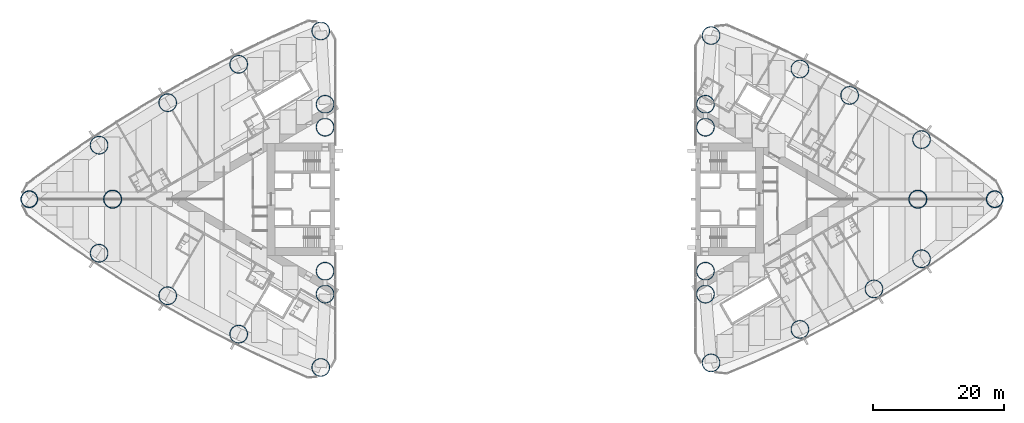
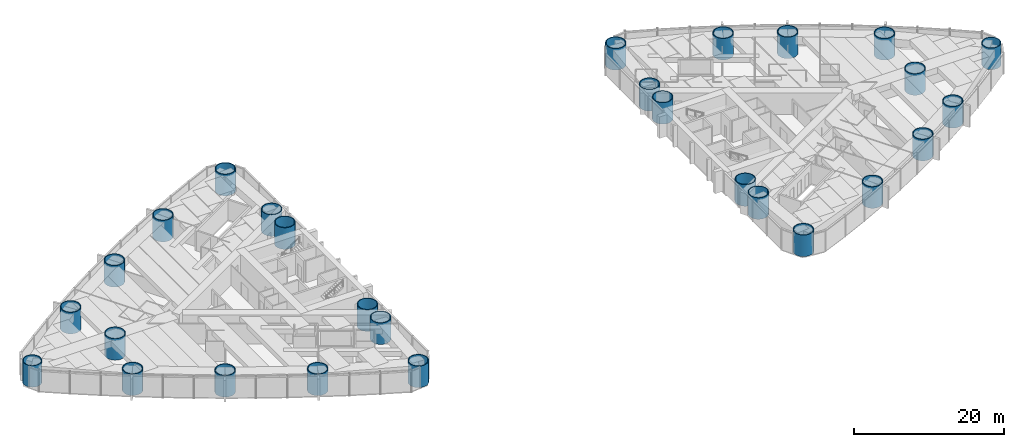
# One storey, part 1 of 19: 28 columns.
"""IFC4 building model written with IfcOpenShell, lengths in metres."""

from ifc_helpers import new_model, si_unit, direction, frame, origin, origin_2d, place, context, subcontext, project, spatial, hollow_circle, extrude, material, material_profile, profile_set, type_object, element, save


model = new_model("IFC4")

# Units and contexts
model_context = context("Model", 3, precision=1e-05, world=origin(), true_north=direction((0.0, 1.0)))
body_context = subcontext(model_context, "Body", "Model", "MODEL_VIEW")
ifc_project = project(units=[si_unit("LENGTHUNIT", "METRE"), si_unit("AREAUNIT", "SQUARE_METRE"), si_unit("VOLUMEUNIT", "CUBIC_METRE"), si_unit("PLANEANGLEUNIT", "RADIAN"), si_unit("MASSUNIT", "GRAM", prefix="KILO")], contexts=[model_context])

# Site, building, storey
site_placement = place(None, origin())
site = spatial("IfcSite", under=ifc_project, at=site_placement, CompositionType="ELEMENT")
building_placement = place(site_placement, origin())
building = spatial("IfcBuilding", under=site, at=building_placement, Name="Lancet Gate Hotel", CompositionType="ELEMENT")
storey_placement = place(building_placement, frame((0.0, 0.0, 28.5)))
storey = spatial("IfcBuildingStorey", under=building, at=storey_placement, Name="L06", CompositionType="ELEMENT", Elevation=28.5)

# Columns
ifc_material_1 = material(Name="Composite filled tube, grade 460 plate, grade 80/95 fill", Category="composite")
ifc_material_profile_1 = material_profile(ifc_material_1, hollow_circle(Radius=1.39990234375, WallThickness=0.10009765625, at=origin_2d()), Name="CHS 2800x100")
ifc_profile_set_1 = profile_set([ifc_material_profile_1], Name="Composite filled tube, grade 460 plate, grade 80/95 fill")
column_type_1 = type_object("IfcColumnType", Name="Apex column CFT CHS 2800x100", PredefinedType="COLUMN", material=ifc_profile_set_1)
for number, where, z_axis, x_axis, name in (
    (1, (-61.5, 0.0, 0.0), (0.0, 0.0, 1.0), (1.0, 0.0, 0.0), "T1 column AX L06"),
    (2, (61.5, 0.0, 0.0), (0.0, 0.0, 1.0), (1.0, 0.0, 0.0), "T2 column AX L06"),
):
    element("IfcColumn", number, at=place(storey_placement, frame(where, z_axis=z_axis, x_axis=x_axis)), inside=storey, type_object=column_type_1, Name=name, PredefinedType="COLUMN", context=body_context, shape_type="SweptSolid", body=[
        extrude(hollow_circle(Radius=1.39990234375, WallThickness=0.10009765625, at=origin_2d()), origin(), (0.0, 0.0, 1.0), 3.5),
    ])
ifc_material_2 = material(Name="Composite filled tube, grade 460 plate, grade 80/95 fill", Category="composite")
ifc_material_profile_2 = material_profile(ifc_material_2, hollow_circle(Radius=1.300048828125, WallThickness=0.10009765625, at=origin_2d()), Name="CHS 2600x100")
ifc_profile_set_2 = profile_set([ifc_material_profile_2], Name="Composite filled tube, grade 460 plate, grade 80/95 fill")
column_type_2 = type_object("IfcColumnType", Name="Apex corner column CFT CHS 2600x100", PredefinedType="COLUMN", material=ifc_profile_set_2)
for number, where, z_axis, x_axis, name in (
    (3, (-74.235107421875, 0.0, 0.0), (0.0, 0.0, 1.0), (1.0, 0.0, 0.0), "T1 column CA L06"),
    (4, (73.2392578125, 0.0, 0.0), (0.0, 0.0, 1.0), (1.0, 0.0, 0.0), "T2 column CA L06"),
):
    element("IfcColumn", number, at=place(storey_placement, frame(where, z_axis=z_axis, x_axis=x_axis)), inside=storey, type_object=column_type_2, Name=name, PredefinedType="COLUMN", context=body_context, shape_type="SweptSolid", body=[
        extrude(hollow_circle(Radius=1.300048828125, WallThickness=0.10009765625, at=origin_2d()), origin(), (0.0, 0.0, 1.0), 3.5),
    ])
ifc_material_3 = material(Name="Composite filled tube, grade 460 plate, grade 80/95 fill", Category="composite")
ifc_material_profile_3 = material_profile(ifc_material_3, hollow_circle(Radius=1.39990234375, WallThickness=0.1201171875, at=origin_2d()), Name="CHS 2800x120")
ifc_profile_set_3 = profile_set([ifc_material_profile_3], Name="Composite filled tube, grade 460 plate, grade 80/95 fill")
column_type_3 = type_object("IfcColumnType", Name="Perimeter column CFT CHS 2800x120", PredefinedType="COLUMN", material=ifc_profile_set_3)
for number, where, z_axis, x_axis, name in (
    (5, (-29.703369140625, -25.70263671875, 0.0), (0.0, 0.0, 1.0), (1.0, 0.0, 0.0), "T1 column CN L06"),
    (6, (-29.703369140625, 25.70263671875, 0.0), (0.0, 0.0, 1.0), (1.0, 0.0, 0.0), "T1 column CS L06"),
    (7, (-29.050048828125, -11.0, 0.0), (0.0, 0.0, 1.0), (1.0, 0.0, 0.0), "T1 column IN L06"),
    (8, (-29.050048828125, 11.0, 0.0), (0.0, 0.0, 1.0), (1.0, 0.0, 0.0), "T1 column IS L06"),
    (9, (-29.050048828125, 14.5, 0.0), (0.0, 0.0, 1.0), (1.0, 0.0, 0.0), "T1 column IT L06"),
    (10, (-29.050048828125, -14.5, 0.0), (0.0, 0.0, 1.0), (1.0, 0.0, 0.0), "T1 column JT L06"),
    (11, (-63.57177734375, -8.255126953125, 0.0), (0.0, 0.0, 1.0), (1.0, 0.0, 0.0), "T1 column ON1 L06"),
    (12, (-53.090087890625, -14.744873046875, 0.0), (0.0, 0.0, 1.0), (1.0, 0.0, 0.0), "T1 column ON2 L06"),
    (13, (-42.2451171875, -20.607421875, 0.0), (0.0, 0.0, 1.0), (1.0, 0.0, 0.0), "T1 column ON3 L06"),
    (14, (-42.2451171875, 20.607421875, 0.0), (0.0, 0.0, 1.0), (1.0, 0.0, 0.0), "T1 column OS1 L06"),
    (15, (-53.090087890625, 14.744873046875, 0.0), (0.0, 0.0, 1.0), (1.0, 0.0, 0.0), "T1 column OS2 L06"),
    (16, (-63.57177734375, 8.255126953125, 0.0), (0.0, 0.0, 1.0), (1.0, 0.0, 0.0), "T1 column OS3 L06"),
    (17, (29.9111328125, 25.00244140625, 0.0), (0.0, 0.0, 1.0), (1.0, 0.0, 0.0), "T2 column CN L06"),
    (18, (29.9111328125, -25.00244140625, 0.0), (0.0, 0.0, 1.0), (1.0, 0.0, 0.0), "T2 column CS L06"),
    (19, (29.050048828125, 11.0, 0.0), (0.0, 0.0, 1.0), (1.0, 0.0, 0.0), "T2 column IN L06"),
    (20, (29.050048828125, -11.0, 0.0), (0.0, 0.0, 1.0), (1.0, 0.0, 0.0), "T2 column IS L06"),
    (21, (29.050048828125, -14.5, 0.0), (0.0, 0.0, 1.0), (1.0, 0.0, 0.0), "T2 column IT L06"),
    (22, (29.050048828125, 14.5, 0.0), (0.0, 0.0, 1.0), (1.0, 0.0, 0.0), "T2 column JT L06"),
    (23, (62.059326171875, 9.10498046875, 0.0), (0.0, 0.0, 1.0), (1.0, 0.0, 0.0), "T2 column ON1 L06"),
    (24, (51.07763671875, 15.8583984375, 0.0), (0.0, 0.0, 1.0), (1.0, 0.0, 0.0), "T2 column ON2 L06"),
    (25, (43.484130859375, 19.886474609375, 0.0), (0.0, 0.0, 1.0), (1.0, 0.0, 0.0), "T2 column ON3 L06"),
    (26, (43.484130859375, -19.886474609375, 0.0), (0.0, 0.0, 1.0), (1.0, 0.0, 0.0), "T2 column OS1 L06"),
    (27, (54.795166015625, -13.70068359375, 0.0), (0.0, 0.0, 1.0), (1.0, 0.0, 0.0), "T2 column OS2 L06"),
    (28, (62.059326171875, -9.10498046875, 0.0), (0.0, 0.0, 1.0), (1.0, 0.0, 0.0), "T2 column OS3 L06"),
):
    element("IfcColumn", number, at=place(storey_placement, frame(where, z_axis=z_axis, x_axis=x_axis)), inside=storey, type_object=column_type_3, Name=name, PredefinedType="COLUMN", context=body_context, shape_type="SweptSolid", body=[
        extrude(hollow_circle(Radius=1.39990234375, WallThickness=0.1201171875, at=origin_2d()), origin(), (0.0, 0.0, 1.0), 3.5),
    ])

save(model, "model.ifc")
